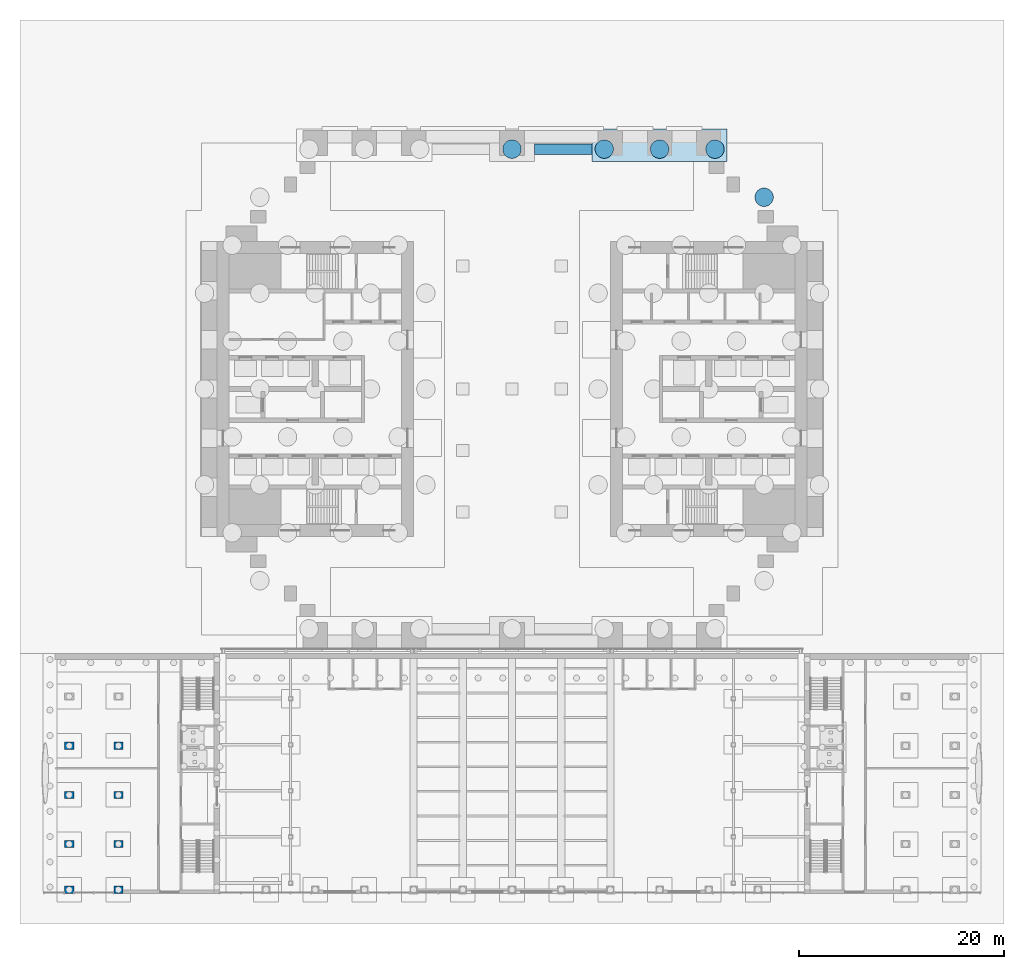
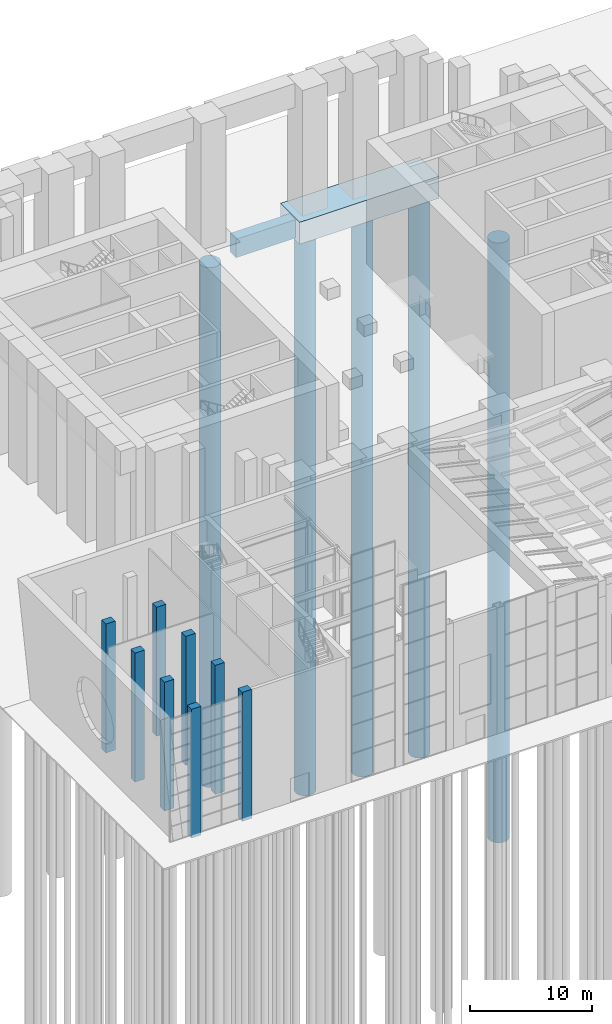
# One storey, part 3 of 58: 8 columns, 5 piles, 2 footings.
"""IFC4 building model written with IfcOpenShell, lengths in metres."""

import ifcopenshell
import ifcopenshell.guid

model = None  # the IFC model being written
_history = None  # IfcOwnerHistory: only IFC2X3 demands one
_inside = {}  # id of a spatial element -> (the spatial element, [elements in it])
_under = {}  # id of a project, library or spatial element -> (it, [spatial elements below it])
_declared = {}  # id of a project -> (the project, [libraries it declares])
_typed = {}  # id of a type object -> (the type object, [elements of that type])
_made_of = {}  # id of a material, layer set ... -> (it, [elements and type objects made of it])


def new_model(schema):
    """Start an empty IFC model of exactly this schema.

    Asked for "IFC4X3", IfcOpenShell would pick the latest addendum, in which some entities
    have other attributes; the version numbers below select the first issue.
    IFC2X3 requires an IfcOwnerHistory on every rooted entity: one is made here for all.
    """
    global model, _history
    if schema == "IFC4X3":
        model = ifcopenshell.file(schema_version=(4, 3, 0, 0))
    else:
        model = ifcopenshell.file(schema=schema)
    _inside.clear()
    _under.clear()
    _declared.clear()
    _typed.clear()
    _made_of.clear()
    _history = None
    if model.schema == "IFC2X3":
        org = make("IfcOrganization", Name="unknown")
        user = make(
            "IfcPersonAndOrganization",
            ThePerson=make("IfcPerson", FamilyName="unknown"),
            TheOrganization=org,
        )
        app = make(
            "IfcApplication",
            ApplicationDeveloper=org,
            Version="unknown",
            ApplicationFullName="unknown",
            ApplicationIdentifier="unknown",
        )
        _history = make(
            "IfcOwnerHistory",
            OwningUser=user,
            OwningApplication=app,
            ChangeAction="ADDED",
            CreationDate=0,
        )
    return model


def make(cls, **values):
    """One entity of the class cls with the attributes given. An attribute that is None is left unset."""
    return model.create_entity(
        cls, **{name: value for name, value in values.items() if value is not None}
    )


def rooted(cls, **values):
    """An entity with a GlobalId (a new one), such as an element, a storey or a relation."""
    return make(cls, GlobalId=ifcopenshell.guid.new(), OwnerHistory=_history, **values)


def si_unit(unit_type, name, prefix=None):
    """IfcSIUnit, for example si_unit("LENGTHUNIT", "METRE", prefix="MILLI")."""
    return make("IfcSIUnit", UnitType=unit_type, Prefix=prefix, Name=name)


def assignment(units):
    """IfcUnitAssignment: the units of a project."""
    return None if units is None else make("IfcUnitAssignment", Units=units)


def point(xyz):
    """IfcCartesianPoint."""
    return None if xyz is None else make("IfcCartesianPoint", Coordinates=xyz)


def direction(xyz):
    """IfcDirection."""
    return None if xyz is None else make("IfcDirection", DirectionRatios=xyz)


def frame(location, z_axis=None, x_axis=None):
    """IfcAxis2Placement3D, a coordinate frame: its origin and axes. An axis left out is left unset."""
    return make(
        "IfcAxis2Placement3D",
        Location=point(location),
        Axis=direction(z_axis),
        RefDirection=direction(x_axis),
    )


def frame_2d(location, x_axis=None):
    """IfcAxis2Placement2D, a coordinate frame in the plane: its origin and x axis."""
    return make(
        "IfcAxis2Placement2D", Location=point(location), RefDirection=direction(x_axis)
    )


def origin():
    """The frame at (0, 0, 0) with its axes left unset."""
    return frame((0.0, 0.0, 0.0))


def origin_2d():
    """The frame at (0, 0) in the plane with its x axis left unset."""
    return frame_2d((0.0, 0.0))


def place(relative_to, where):
    """IfcLocalPlacement: puts the frame where relative to a parent placement (None: the world)."""
    return make(
        "IfcLocalPlacement", PlacementRelTo=relative_to, RelativePlacement=where
    )


def context(
    kind, dimensions, precision=None, world=None, true_north=None, identifier=None
):
    """IfcGeometricRepresentationContext, for example the 3D "Model" context."""
    return make(
        "IfcGeometricRepresentationContext",
        ContextIdentifier=identifier,
        ContextType=kind,
        CoordinateSpaceDimension=dimensions,
        Precision=precision,
        WorldCoordinateSystem=world,
        TrueNorth=true_north,
    )


def subcontext(parent, identifier, kind, view, scale=None):
    """IfcGeometricRepresentationSubContext, for example "Body" below "Model"."""
    return make(
        "IfcGeometricRepresentationSubContext",
        ContextIdentifier=identifier,
        ContextType=kind,
        ParentContext=parent,
        TargetScale=scale,
        TargetView=view,
    )


def project(units=None, contexts=None):
    """IfcProject with its units and contexts."""
    return rooted(
        "IfcProject",
        Name="project",
        RepresentationContexts=contexts,
        UnitsInContext=assignment(units),
    )


def spatial(cls, under=None, at=None, **own):
    """A site, building, storey or space (cls), placed at a placement, below another one or the project."""
    s = rooted(cls, ObjectPlacement=at, **own)
    if under is not None:
        _under.setdefault(under.id(), (under, []))[1].append(s)
    return s


def polyline(points):
    """IfcPolyline through the points."""
    return make("IfcPolyline", Points=[point(p) for p in points])


def profile(cls, at=None, kind="AREA", **sizes):
    """A parametric profile (cls). Its sizes go by their IFC names, for example OverallWidth=200.0."""
    return make(cls, ProfileType=kind, Position=at, **sizes)


def rectangle(**sizes):
    """IfcRectangleProfileDef."""
    return profile("IfcRectangleProfileDef", **sizes)


def circle(**sizes):
    """IfcCircleProfileDef."""
    return profile("IfcCircleProfileDef", **sizes)


def outline(outer, holes=None, kind="AREA"):
    """IfcArbitraryClosedProfileDef: a profile drawn as a closed curve; with holes, ...WithVoids."""
    if holes is None:
        return make("IfcArbitraryClosedProfileDef", ProfileType=kind, OuterCurve=outer)
    return make(
        "IfcArbitraryProfileDefWithVoids",
        ProfileType=kind,
        OuterCurve=outer,
        InnerCurves=holes,
    )


def extrude(swept, where, along, depth):
    """IfcExtrudedAreaSolid: the profile swept, set in the frame where, extruded along a direction by depth."""
    return make(
        "IfcExtrudedAreaSolid",
        SweptArea=swept,
        Position=where,
        ExtrudedDirection=direction(along),
        Depth=depth,
    )


def shape(context_of_items, identifier, shape_type, items):
    """IfcShapeRepresentation: the items that make up one representation, for example the "Body"."""
    return make(
        "IfcShapeRepresentation",
        ContextOfItems=context_of_items,
        RepresentationIdentifier=identifier,
        RepresentationType=shape_type,
        Items=items,
    )


def material(Name=None, Category=None):
    """IfcMaterial."""
    return make("IfcMaterial", Name=Name, Category=Category)


def material_profile(
    of_material, cross_section, Name=None, Category=None, Priority=None
):
    """IfcMaterialProfile: a cross section and its material."""
    return make(
        "IfcMaterialProfile",
        Name=Name,
        Material=of_material,
        Profile=cross_section,
        Priority=Priority,
        Category=Category,
    )


def profile_set(profiles, Name=None, composite=None):
    """IfcMaterialProfileSet."""
    return make(
        "IfcMaterialProfileSet",
        Name=Name,
        MaterialProfiles=profiles,
        CompositeProfile=composite,
    )


def made_of(thing, what):
    """Note that an element or type object is made of a material, layer set ...; save() writes the relation."""
    if what is not None:
        _made_of.setdefault(what.id(), (what, []))[1].append(thing)
    return thing


def type_object(cls, material=None, **own):
    """A type object (cls), such as IfcWallType, which elements share."""
    return made_of(rooted(cls, **own), material)


def element(
    cls,
    number,
    at=None,
    inside=None,
    cuts=None,
    type_object=None,
    material=None,
    context=None,
    identifier="Body",
    shape_type=None,
    held_by="IfcProductDefinitionShape",
    body=None,
    shapes=None,
    **own,
):
    """One element of the class cls, such as IfcWall. Its Tag is "e" and its number.

    at: its placement. inside: the storey or other place that contains it. cuts: it is an
    opening in that element (IfcRelVoidsElement). A single representation is given by context,
    identifier, shape_type and body (its items); several are given by shapes. held_by: the class
    of the entity that holds the representations. save() writes the other relations.
    """
    e = rooted(cls, Tag="e%d" % number, ObjectPlacement=at, **own)
    if body is not None:
        shapes = [shape(context, identifier, shape_type, body)]
    if shapes is not None:
        e.Representation = make(held_by, Representations=shapes)
    if inside is not None:
        _inside.setdefault(inside.id(), (inside, []))[1].append(e)
    if cuts is not None:
        rooted(
            "IfcRelVoidsElement", RelatingBuildingElement=cuts, RelatedOpeningElement=e
        )
    if type_object is not None:
        _typed.setdefault(type_object.id(), (type_object, []))[1].append(e)
    return made_of(e, material)


def aggregate(whole, parts):
    """IfcRelAggregates: a whole, such as a stair, and the parts it consists of."""
    return rooted("IfcRelAggregates", RelatingObject=whole, RelatedObjects=parts)


def save(model, path):
    """Write the relations noted so far, then the file.

    IfcRelAggregates (storeys below a building ...), IfcRelContainedInSpatialStructure (elements
    in a storey), IfcRelDefinesByType, IfcRelAssociatesMaterial and IfcRelDeclares: one each for
    every whole, place, type object, material and project.
    """
    for whole, parts in _under.values():
        aggregate(whole, parts)
    for where, things in _inside.values():
        rooted(
            "IfcRelContainedInSpatialStructure",
            RelatedElements=things,
            RelatingStructure=where,
        )
    for kind, things in _typed.values():
        rooted("IfcRelDefinesByType", RelatedObjects=things, RelatingType=kind)
    for what, things in _made_of.values():
        rooted("IfcRelAssociatesMaterial", RelatedObjects=things, RelatingMaterial=what)
    for by, libraries in _declared.values():
        rooted("IfcRelDeclares", RelatingContext=by, RelatedDefinitions=libraries)
    model.write(path)


model = new_model("IFC4")

# Units and contexts
model_context = context("Model", 3, precision=1e-05, world=origin(), true_north=direction((0.0, 1.0)))
body_context = subcontext(model_context, "Body", "Model", "MODEL_VIEW")
ifc_project = project(units=[si_unit("LENGTHUNIT", "METRE"), si_unit("AREAUNIT", "SQUARE_METRE"), si_unit("VOLUMEUNIT", "CUBIC_METRE"), si_unit("PLANEANGLEUNIT", "RADIAN"), si_unit("MASSUNIT", "GRAM", prefix="KILO")], contexts=[model_context])

# Site, building, storey
site_placement = place(None, origin())
site = spatial("IfcSite", under=ifc_project, at=site_placement, CompositionType="ELEMENT")
building_placement = place(site_placement, origin())
building = spatial("IfcBuilding", under=site, at=building_placement, Name="Baori Bourse Tower", CompositionType="ELEMENT")
storey_placement = place(building_placement, origin())
storey = spatial("IfcBuildingStorey", under=building, at=storey_placement, Name="L00", CompositionType="ELEMENT", Elevation=0.0)

# Piles
ifc_material_1 = material(Name="Concrete f'c 40 MPa", Category="concrete")
ifc_material_profile_1 = material_profile(ifc_material_1, circle(Radius=0.89990234375, at=origin_2d()), Name="RC D1800")
ifc_profile_set_1 = profile_set([ifc_material_profile_1], Name="Concrete f'c 40 MPa")
pile_type = type_object("IfcPileType", Name="Bored pile RC D1800", PredefinedType="BORED", material=ifc_profile_set_1)
pile_1_placement = place(storey_placement, frame((53.39990234375, 42.7060546875, -5.199951171875), z_axis=(0.0, 0.0, -1.0), x_axis=(1.0, 0.0, 0.0)))
element("IfcPile", 1, at=pile_1_placement, inside=storey, type_object=pile_type, Name="Bored pile RF1-33", PredefinedType="BORED", context=body_context, shape_type="SweptSolid", body=[
    extrude(circle(Radius=0.89990234375, at=origin_2d()), origin(), (0.0, 0.0, 1.0), 60.0),
])
pile_2_placement = place(storey_placement, frame((28.800048828125, 47.39990234375, -1.89990234375), z_axis=(0.0, 0.0, -1.0), x_axis=(1.0, 0.0, 0.0)))
element("IfcPile", 2, at=pile_2_placement, inside=storey, type_object=pile_type, Name="Bored pile PC5-01", PredefinedType="BORED", context=body_context, shape_type="SweptSolid", body=[
    extrude(circle(Radius=0.89990234375, at=origin_2d()), origin(), (0.0, 0.0, 1.0), 52.0),
])
for number, where, z_axis, x_axis, name in (
    (3, (37.800048828125, 47.39990234375, -1.89990234375), (0.0, 0.0, -1.0), (1.0, 0.0, 0.0), "Bored pile PC6-01"),
    (4, (43.199951171875, 47.39990234375, -1.89990234375), (0.0, 0.0, -1.0), (1.0, 0.0, 0.0), "Bored pile PC6-02"),
    (5, (48.60009765625, 47.39990234375, -1.89990234375), (0.0, 0.0, -1.0), (1.0, 0.0, 0.0), "Bored pile PC6-03"),
):
    element("IfcPile", number, at=place(storey_placement, frame(where, z_axis=z_axis, x_axis=x_axis)), inside=storey, type_object=pile_type, Name=name, PredefinedType="BORED", context=body_context, shape_type="SweptSolid", body=[
        extrude(circle(Radius=0.89990234375, at=origin_2d()), origin(), (0.0, 0.0, 1.0), 56.0),
    ])

# Footings
ifc_material_2 = material(Name="Concrete f'c 40 MPa", Category="concrete")
footing_type_1 = type_object("IfcFootingType", Name="Pile cap strip 13.2 x 3.15 x 2.2", PredefinedType="PILE_CAP", material=ifc_material_2)
footing_1_placement = place(storey_placement, frame((0.0, 0.0, -2.199951171875)))
element("IfcFooting", 6, at=footing_1_placement, inside=storey, type_object=footing_type_1, Name="Pile cap strip north east", PredefinedType="PILE_CAP", context=body_context, shape_type="SweptSolid", body=[
    extrude(outline(polyline([(49.800048828125, 46.199951171875), (49.800048828125, 49.35009765625), (36.60009765625, 49.35009765625), (36.60009765625, 46.199951171875), (49.800048828125, 46.199951171875)])), origin(), (0.0, 0.0, 1.0), 2.199951171875),
])
ifc_material_3 = material(Name="Concrete f'c 40 MPa", Category="concrete")
footing_type_2 = type_object("IfcFootingType", Name="Tie beam 1 x 1.85", PredefinedType="FOOTING_BEAM", material=ifc_material_3)
footing_2_placement = place(storey_placement, frame((0.0, 0.0, -2.0)))
element("IfcFooting", 7, at=footing_2_placement, inside=storey, type_object=footing_type_2, Name="Tie beam FB4", PredefinedType="FOOTING_BEAM", context=body_context, shape_type="SweptSolid", body=[
    extrude(outline(polyline([(36.60009765625, 46.89990234375), (36.60009765625, 47.89990234375), (31.0, 47.89990234375), (31.0, 46.89990234375), (36.60009765625, 46.89990234375)])), origin(), (0.0, 0.0, 1.0), 1.85009765625),
])

# Columns
ifc_material_4 = material(Name="Concrete f'c 50 MPa", Category="concrete")
ifc_material_profile_2 = material_profile(ifc_material_4, rectangle(XDim=0.89990234375, YDim=0.699951171875, at=origin_2d()), Name="Wing column 900x700")
ifc_profile_set_2 = profile_set([ifc_material_profile_2], Name="Concrete f'c 50 MPa")
column_type = type_object("IfcColumnType", Name="Wing column 900x700", PredefinedType="COLUMN", material=ifc_profile_set_2)
for number, where, z_axis, x_axis, name in (
    (8, (-14.39990234375, -24.85009765625, -0.300048828125), (0.0, 0.0, 1.0), (1.0, 0.0, 0.0), "wing/L00/Wcol/001"),
    (9, (-14.39990234375, -20.39990234375, -0.300048828125), (0.0, 0.0, 1.0), (1.0, 0.0, 0.0), "wing/L00/Wcol/002"),
    (10, (-14.39990234375, -15.60009765625, -0.300048828125), (0.0, 0.0, 1.0), (1.0, 0.0, 0.0), "wing/L00/Wcol/003"),
    (11, (-14.39990234375, -10.800048828125, -0.300048828125), (0.0, 0.0, 1.0), (1.0, 0.0, 0.0), "wing/L00/Wcol/004"),
    (12, (-9.60009765625, -24.85009765625, -0.300048828125), (0.0, 0.0, 1.0), (1.0, 0.0, 0.0), "wing/L00/Wcol/006"),
    (13, (-9.60009765625, -20.39990234375, -0.300048828125), (0.0, 0.0, 1.0), (1.0, 0.0, 0.0), "wing/L00/Wcol/007"),
    (14, (-9.60009765625, -15.60009765625, -0.300048828125), (0.0, 0.0, 1.0), (1.0, 0.0, 0.0), "wing/L00/Wcol/008"),
    (15, (-9.60009765625, -10.800048828125, -0.300048828125), (0.0, 0.0, 1.0), (1.0, 0.0, 0.0), "wing/L00/Wcol/009"),
):
    element("IfcColumn", number, at=place(storey_placement, frame(where, z_axis=z_axis, x_axis=x_axis)), inside=storey, type_object=column_type, Name=name, PredefinedType="COLUMN", context=body_context, shape_type="SweptSolid", body=[
        extrude(rectangle(XDim=0.89990234375, YDim=0.699951171875, at=origin_2d()), origin(), (0.0, 0.0, 1.0), 12.900146484375),
    ])

save(model, "model.ifc")
